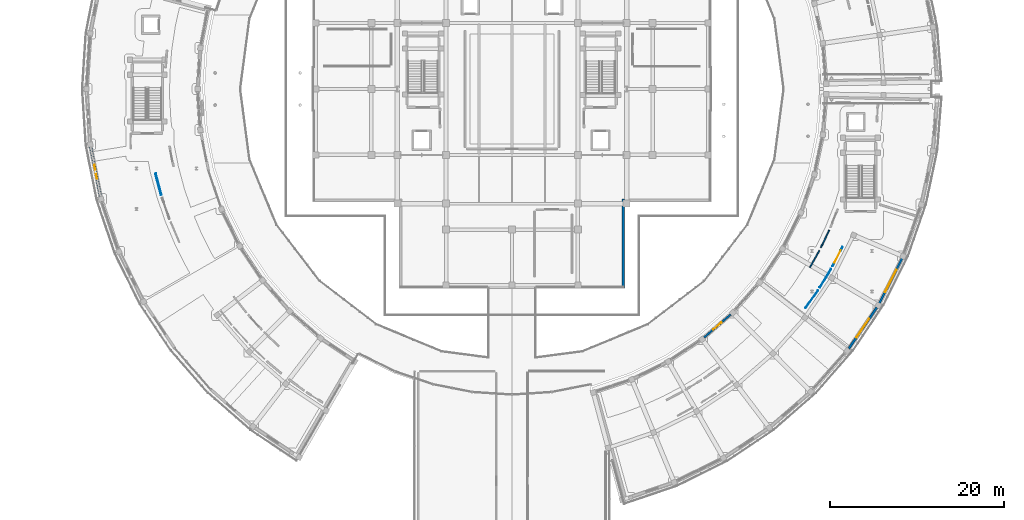
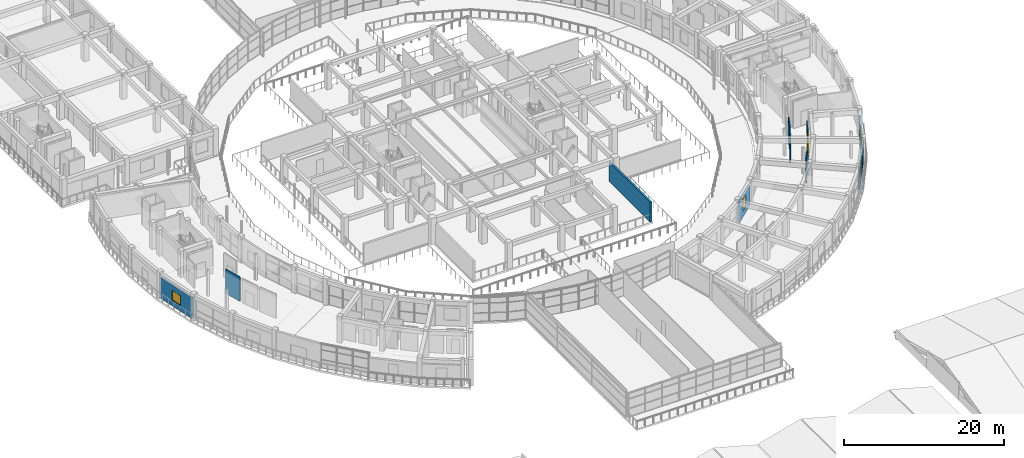
# One storey, part 56 of 83: 11 walls, 4 windows, 1 door, 5 openings.
"""IFC4 building model written with IfcOpenShell, lengths in metres."""

from ifc_helpers import new_model, si_unit, direction, frame, frame_2d, origin, place, context, subcontext, project, spatial, rectangle, extrude, material, layer, layer_set, type_object, element, fill, save


model = new_model("IFC4")

# Units and contexts
model_context = context("Model", 3, precision=1e-05, world=origin(), true_north=direction((0.0, 1.0)))
body_context = subcontext(model_context, "Body", "Model", "MODEL_VIEW")
ifc_project = project(units=[si_unit("LENGTHUNIT", "METRE"), si_unit("AREAUNIT", "SQUARE_METRE"), si_unit("VOLUMEUNIT", "CUBIC_METRE"), si_unit("PLANEANGLEUNIT", "RADIAN"), si_unit("MASSUNIT", "GRAM", prefix="KILO")], contexts=[model_context])

# Site, building, storey
site_placement = place(None, origin())
site = spatial("IfcSite", under=ifc_project, at=site_placement, CompositionType="ELEMENT")
building_placement = place(site_placement, origin())
building = spatial("IfcBuilding", under=site, at=building_placement, Name="Saryqyr Civic Hall", CompositionType="ELEMENT")
storey_placement = place(building_placement, frame((0.0, 0.0, 9.14990234375)))
storey = spatial("IfcBuildingStorey", under=building, at=storey_placement, Name="L02", CompositionType="ELEMENT", Elevation=9.14990234375)

# Wall, opening, window
ifc_material_1 = material(Name="Precast concrete C40/50", Category="concrete")
ifc_layer_1 = layer(ifc_material_1, 0.219970703125, Name="Precast concrete C40/50")
ifc_layer_set_1 = layer_set([ifc_layer_1], Name="Precast concrete C40/50")
wall_type_1 = type_object("IfcWallType", Name="ENV-WAL-EXT-220", PredefinedType="STANDARD", material=ifc_layer_set_1)
wall_1_placement = place(storey_placement, frame((79.12890625, 55.375, 0.0), z_axis=(0.0, 0.0, 1.0), x_axis=(0.755665234257, 0.654958054943, 0.0)))
wall_1 = element("IfcWall", 1, at=wall_1_placement, inside=storey, type_object=wall_type_1, Name="Exterior wall V5-EWI-L02-03", PredefinedType="STANDARD", context=body_context, shape_type="SweptSolid", body=[
    extrude(rectangle(XDim=4.053466796875, YDim=0.219970703125, at=frame_2d((2.02685546875, 0.0))), origin(), (0.0, 0.0, 1.0), 3.1650390625),
])
opening_1_placement = place(wall_1_placement, frame((1.402099609375, 0.0, 0.85009765625)))
opening_1 = element("IfcOpeningElement", 2, at=opening_1_placement, cuts=wall_1, Name="Opening W-25", PredefinedType="OPENING", context=body_context, shape_type="SweptSolid", body=[
    extrude(rectangle(XDim=1.25, YDim=1.85009765625, at=frame_2d((0.625, 0.925048828125))), frame((0.0, 0.119873046875, 0.0), z_axis=(0.0, -1.0, 0.0), x_axis=(1.0, 0.0, 0.0)), (0.0, 0.0, 1.0), 0.239990234375),
])
ifc_material_2 = material(Name="Anodised aluminium and triple low-E glass", Category="aluminium")
window_type_1 = type_object("IfcWindowType", Name="ENV-WIN-W25", PartitioningType="SINGLE_PANEL", PredefinedType="WINDOW", material=ifc_material_2)
window_1_placement = place(opening_1_placement, origin())
window_1 = element("IfcWindow", 3, at=window_1_placement, inside=storey, type_object=window_type_1, Name="Courtyard window V5-L02-03", OverallHeight=1.85009765625, OverallWidth=1.25, PartitioningType="SINGLE_PANEL", PredefinedType="WINDOW", context=body_context, shape_type="SweptSolid", body=[
    extrude(rectangle(XDim=1.25, YDim=1.85009765625, at=frame_2d((0.625, 0.925048828125))), frame((0.0, 0.030029296875, 0.0), z_axis=(0.0, -1.0, 0.0), x_axis=(1.0, 0.0, 0.0)), (0.0, 0.0, 1.0), 0.06005859375),
])
fill(opening_1, window_1)

ifc_layer_2 = layer(ifc_material_1, 0.27001953125, Name="Precast concrete C40/50")
ifc_layer_set_2 = layer_set([ifc_layer_2], Name="Precast concrete C40/50")
wall_type_2 = type_object("IfcWallType", Name="ENV-WAL-EXT-270", PredefinedType="STANDARD", material=ifc_layer_set_2)
wall_2_placement = place(storey_placement, frame((99.029296875, 58.843994140625, 0.0), z_axis=(0.0, 0.0, 1.0), x_axis=(-0.563132935525, -0.826366321269, 0.0)))
wall_2 = element("IfcWall", 4, at=wall_2_placement, inside=storey, type_object=wall_type_2, Name="Exterior wall V5-EWO-L02-05", PredefinedType="STANDARD", context=body_context, shape_type="SweptSolid", body=[
    extrude(rectangle(XDim=5.759521484375, YDim=0.27001953125, at=frame_2d((2.8798828125, 0.0))), origin(), (0.0, 0.0, 1.0), 3.01513671875),
])
opening_2_placement = place(wall_2_placement, frame((1.580078125, 0.0, 0.85009765625)))
opening_2 = element("IfcOpeningElement", 5, at=opening_2_placement, cuts=wall_2, Name="Opening W-23", PredefinedType="OPENING", context=body_context, shape_type="SweptSolid", body=[
    extrude(rectangle(XDim=2.60009765625, YDim=1.64990234375, at=frame_2d((1.300048828125, 0.824951171875))), frame((0.0, 0.14501953125, 0.0), z_axis=(0.0, -1.0, 0.0), x_axis=(1.0, 0.0, 0.0)), (0.0, 0.0, 1.0), 0.2900390625),
])
window_type_2 = type_object("IfcWindowType", Name="ENV-WIN-W23", PartitioningType="SINGLE_PANEL", PredefinedType="WINDOW", material=ifc_material_2)
window_2_placement = place(opening_2_placement, origin())
window_2 = element("IfcWindow", 6, at=window_2_placement, inside=storey, type_object=window_type_2, Name="Exterior ribbon window V5-L02-05", OverallHeight=1.64990234375, OverallWidth=2.60009765625, PartitioningType="SINGLE_PANEL", PredefinedType="WINDOW", context=body_context, shape_type="SweptSolid", body=[
    extrude(rectangle(XDim=2.60009765625, YDim=1.64990234375, at=frame_2d((1.300048828125, 0.824951171875))), frame((0.0, 0.030029296875, 0.0), z_axis=(0.0, -1.0, 0.0), x_axis=(1.0, 0.0, 0.0)), (0.0, 0.0, 1.0), 0.06005859375),
])
fill(opening_2, window_2)

wall_3_placement = place(storey_placement, frame((101.930419921875, 64.489501953125, 0.0), z_axis=(0.0, 0.0, 1.0), x_axis=(-0.451920591159, -0.892058170349, 0.0)))
wall_3 = element("IfcWall", 7, at=wall_3_placement, inside=storey, type_object=wall_type_2, Name="Exterior wall V5-EWO-L02-06", PredefinedType="STANDARD", context=body_context, shape_type="SweptSolid", body=[
    extrude(rectangle(XDim=5.801513671875, YDim=0.27001953125, at=frame_2d((2.90087890625, 0.0))), origin(), (0.0, 0.0, 1.0), 3.01513671875),
])
opening_3_placement = place(wall_3_placement, frame((1.47607421875, 0.0, 0.85009765625)))
opening_3 = element("IfcOpeningElement", 8, at=opening_3_placement, cuts=wall_3, Name="Opening W-24", PredefinedType="OPENING", context=body_context, shape_type="SweptSolid", body=[
    extrude(rectangle(XDim=2.85009765625, YDim=1.64990234375, at=frame_2d((1.425048828125, 0.824951171875))), frame((0.0, 0.14501953125, 0.0), z_axis=(0.0, -1.0, 0.0), x_axis=(1.0, 0.0, 0.0)), (0.0, 0.0, 1.0), 0.2900390625),
])
window_type_3 = type_object("IfcWindowType", Name="ENV-WIN-W24", PartitioningType="SINGLE_PANEL", PredefinedType="WINDOW", material=ifc_material_2)
window_3_placement = place(opening_3_placement, origin())
window_3 = element("IfcWindow", 9, at=window_3_placement, inside=storey, type_object=window_type_3, Name="Exterior ribbon window V5-L02-06", OverallHeight=1.64990234375, OverallWidth=2.85009765625, PartitioningType="SINGLE_PANEL", PredefinedType="WINDOW", context=body_context, shape_type="SweptSolid", body=[
    extrude(rectangle(XDim=2.85009765625, YDim=1.64990234375, at=frame_2d((1.425048828125, 0.824951171875))), frame((0.0, 0.030029296875, 0.0), z_axis=(0.0, -1.0, 0.0), x_axis=(1.0, 0.0, 0.0)), (0.0, 0.0, 1.0), 0.06005859375),
])
fill(opening_3, window_3)

# Wall
wall_4_placement = place(storey_placement, frame((69.800048828125, 71.320068359375, 0.0), z_axis=(0.0, 0.0, 1.0), x_axis=(0.0, -1.0, 0.0)))
element("IfcWall", 10, at=wall_4_placement, inside=storey, type_object=wall_type_2, Name="Exterior wall V1-EW-L02-10", PredefinedType="STANDARD", context=body_context, shape_type="SweptSolid", body=[
    extrude(rectangle(XDim=10.239990234375, YDim=0.27001953125, at=frame_2d((5.1201171875, 0.0))), origin(), (0.0, 0.0, 1.0), 3.01513671875),
])

# Wall, opening, window
ifc_layer_3 = layer(ifc_material_1, 0.2900390625, Name="Precast concrete C40/50")
ifc_layer_set_3 = layer_set([ifc_layer_3], Name="Precast concrete C40/50")
wall_type_3 = type_object("IfcWallType", Name="ENV-WAL-EXT-290", PredefinedType="STANDARD", material=ifc_layer_set_3)
wall_5_placement = place(storey_placement, frame((9.622802734375, 71.552978515625, 0.0), z_axis=(0.0, 0.0, 1.0), x_axis=(-0.195102625433, 0.980782833021, 0.0)))
wall_5 = element("IfcWall", 11, at=wall_5_placement, inside=storey, type_object=wall_type_3, Name="Exterior wall V4-EWO-L02-03", PredefinedType="STANDARD", context=body_context, shape_type="SweptSolid", body=[
    extrude(rectangle(XDim=5.93017578125, YDim=0.2900390625, at=frame_2d((2.965087890625, 0.0))), origin(), (0.0, 0.0, 1.0), 3.1650390625),
])
opening_4_placement = place(wall_5_placement, frame((2.1650390625, 0.0, 0.85009765625)))
opening_4 = element("IfcOpeningElement", 12, at=opening_4_placement, cuts=wall_5, Name="Opening W-12", PredefinedType="OPENING", context=body_context, shape_type="SweptSolid", body=[
    extrude(rectangle(XDim=1.60009765625, YDim=1.5, at=frame_2d((0.800048828125, 0.75))), frame((0.0, 0.155029296875, 0.0), z_axis=(0.0, -1.0, 0.0), x_axis=(1.0, 0.0, 0.0)), (0.0, 0.0, 1.0), 0.31005859375),
])
window_type_4 = type_object("IfcWindowType", Name="ENV-WIN-W12", PartitioningType="SINGLE_PANEL", PredefinedType="WINDOW", material=ifc_material_2)
window_4_placement = place(opening_4_placement, origin())
window_4 = element("IfcWindow", 13, at=window_4_placement, inside=storey, type_object=window_type_4, Name="Exterior ribbon window V4-L02-03", OverallHeight=1.5, OverallWidth=1.60009765625, PartitioningType="SINGLE_PANEL", PredefinedType="WINDOW", context=body_context, shape_type="SweptSolid", body=[
    extrude(rectangle(XDim=1.60009765625, YDim=1.5, at=frame_2d((0.800048828125, 0.75))), frame((0.0, 0.030029296875, 0.0), z_axis=(0.0, -1.0, 0.0), x_axis=(1.0, 0.0, 0.0)), (0.0, 0.0, 1.0), 0.06005859375),
])
fill(opening_4, window_4)

# Wall
ifc_material_3 = material(Name="Lightweight demountable partition", Category="gypsum")
ifc_layer_4 = layer(ifc_material_3, 0.094970703125, Name="Lightweight demountable partition")
ifc_layer_set_4 = layer_set([ifc_layer_4], Name="Lightweight demountable partition")
wall_type_4 = type_object("IfcWallType", Name="INT-WAL-PRT-095", PredefinedType="PARTITIONING", material=ifc_layer_set_4)
wall_6_placement = place(storey_placement, frame((92.4482421875, 61.11376953125, 0.0), z_axis=(0.0, 0.0, 1.0), x_axis=(0.517075662266, 0.855939693841, 0.0)))
element("IfcWall", 14, at=wall_6_placement, inside=storey, type_object=wall_type_4, Name="Interior partition PRT-SP-V5-L02-R02-W1", PredefinedType="PARTITIONING", context=body_context, shape_type="SweptSolid", body=[
    extrude(rectangle(XDim=2.5166015625, YDim=0.094970703125, at=frame_2d((1.25830078125, 0.0))), origin(), (0.0, 0.0, 1.0), 3.01513671875),
])

# Wall, opening, door
wall_7_placement = place(storey_placement, frame((93.925048828125, 63.58203125, 0.0), z_axis=(0.0, 0.0, 1.0), x_axis=(0.457582529718, 0.889167154419, 0.0)))
wall_7 = element("IfcWall", 15, at=wall_7_placement, inside=storey, type_object=wall_type_4, Name="Interior partition PRT-SP-V5-L02-R02-W2", PredefinedType="PARTITIONING", context=body_context, shape_type="SweptSolid", body=[
    extrude(rectangle(XDim=2.516845703125, YDim=0.094970703125, at=frame_2d((1.25830078125, 0.0))), origin(), (0.0, 0.0, 1.0), 3.7001953125),
])
opening_5_placement = place(wall_7_placement, frame((0.4580078125, 0.0, 0.0)))
opening_5 = element("IfcOpeningElement", 16, at=opening_5_placement, cuts=wall_7, Name="Opening D-14", PredefinedType="OPENING", context=body_context, shape_type="SweptSolid", body=[
    extrude(rectangle(XDim=1.60009765625, YDim=2.219970703125, at=frame_2d((0.800048828125, 1.10986328125))), frame((0.0, 0.057373046875, 0.0), z_axis=(0.0, -1.0, 0.0), x_axis=(1.0, 0.0, 0.0)), (0.0, 0.0, 1.0), 0.114990234375),
])
ifc_material_4 = material(Name="Acoustic solid-core oak veneer", Category="wood")
door_type = type_object("IfcDoorType", Name="INT-DR-D-14", OperationType="NOTDEFINED", PredefinedType="DOOR", material=ifc_material_4)
door_placement = place(opening_5_placement, origin())
door = element("IfcDoor", 17, at=door_placement, inside=storey, type_object=door_type, Name="Interior door Public Health & Social Care Directorate", OperationType="DOUBLE_DOOR_SINGLE_SWING", OverallHeight=2.219970703125, OverallWidth=1.60009765625, PredefinedType="DOOR", context=body_context, shape_type="SweptSolid", body=[
    extrude(rectangle(XDim=1.60009765625, YDim=2.219970703125, at=frame_2d((0.800048828125, 1.10986328125))), frame((0.0, 0.02490234375, 0.0), z_axis=(0.0, -1.0, 0.0), x_axis=(1.0, 0.0, 0.0)), (0.0, 0.0, 1.0), 0.050048828125),
])
fill(opening_5, door)

# Walls
wall_8_placement = place(storey_placement, frame((90.806640625, 58.751708984375, 0.0), z_axis=(0.0, 0.0, 1.0), x_axis=(0.574178276631, 0.818730301531, 0.0)))
element("IfcWall", 18, at=wall_8_placement, inside=storey, type_object=wall_type_4, Name="Interior partition PRT-SP-V5-L02-R02-W3", PredefinedType="PARTITIONING", context=body_context, shape_type="SweptSolid", body=[
    extrude(rectangle(XDim=2.516845703125, YDim=0.094970703125, at=frame_2d((1.25830078125, 0.0))), origin(), (0.0, 0.0, 1.0), 3.7001953125),
])
ifc_material_5 = material(Name="Moisture-resistant gypsum partition", Category="gypsum")
ifc_layer_5 = layer(ifc_material_5, 0.110107421875, Name="Moisture-resistant gypsum partition")
ifc_layer_set_5 = layer_set([ifc_layer_5], Name="Moisture-resistant gypsum partition")
wall_type_5 = type_object("IfcWallType", Name="INT-WAL-PRT-110", PredefinedType="PARTITIONING", material=ifc_layer_set_5)
wall_9_placement = place(storey_placement, frame((15.9453125, 74.260498046875, 0.0), z_axis=(0.0, 0.0, 1.0), x_axis=(0.260196290378, -0.965555741774, 0.0)))
element("IfcWall", 19, at=wall_9_placement, inside=storey, type_object=wall_type_5, Name="Interior partition PRT-SP-V4-L02-R02-W3", PredefinedType="PARTITIONING", context=body_context, shape_type="SweptSolid", body=[
    extrude(rectangle(XDim=2.553955078125, YDim=0.110107421875, at=frame_2d((1.27685546875, 0.0))), origin(), (0.0, 0.0, 1.0), 3.7001953125),
])
ifc_material_6 = material(Name="Metal-stud gypsum board partition", Category="gypsum")
ifc_layer_6 = layer(ifc_material_6, 0.139892578125, Name="Metal-stud gypsum board partition")
ifc_layer_set_6 = layer_set([ifc_layer_6], Name="Metal-stud gypsum board partition")
wall_type_6 = type_object("IfcWallType", Name="INT-WAL-PRT-140", PredefinedType="PARTITIONING", material=ifc_layer_set_6)
wall_10_placement = place(storey_placement, frame((93.5419921875, 67.744140625, 0.0), z_axis=(0.0, 0.0, 1.0), x_axis=(-0.431998462729, -0.901874341691, 0.0)))
element("IfcWall", 20, at=wall_10_placement, inside=storey, type_object=wall_type_6, Name="Interior partition PRT-SP-V5-L02-R05-W2", PredefinedType="PARTITIONING", context=body_context, shape_type="SweptSolid", body=[
    extrude(rectangle(XDim=2.2431640625, YDim=0.139892578125, at=frame_2d((1.12158203125, 0.0))), origin(), (0.0, 0.0, 1.0), 3.7001953125),
])
wall_11_placement = place(storey_placement, frame((92.4072265625, 65.40185546875, 0.0), z_axis=(0.0, 0.0, 1.0), x_axis=(-0.489666870942, -0.871909602827, 0.0)))
element("IfcWall", 21, at=wall_11_placement, inside=storey, type_object=wall_type_6, Name="Interior partition PRT-SP-V5-L02-R05-W3", PredefinedType="PARTITIONING", context=body_context, shape_type="SweptSolid", body=[
    extrude(rectangle(XDim=2.2431640625, YDim=0.139892578125, at=frame_2d((1.12158203125, 0.0))), origin(), (0.0, 0.0, 1.0), 3.01513671875),
])

save(model, "model.ifc")
